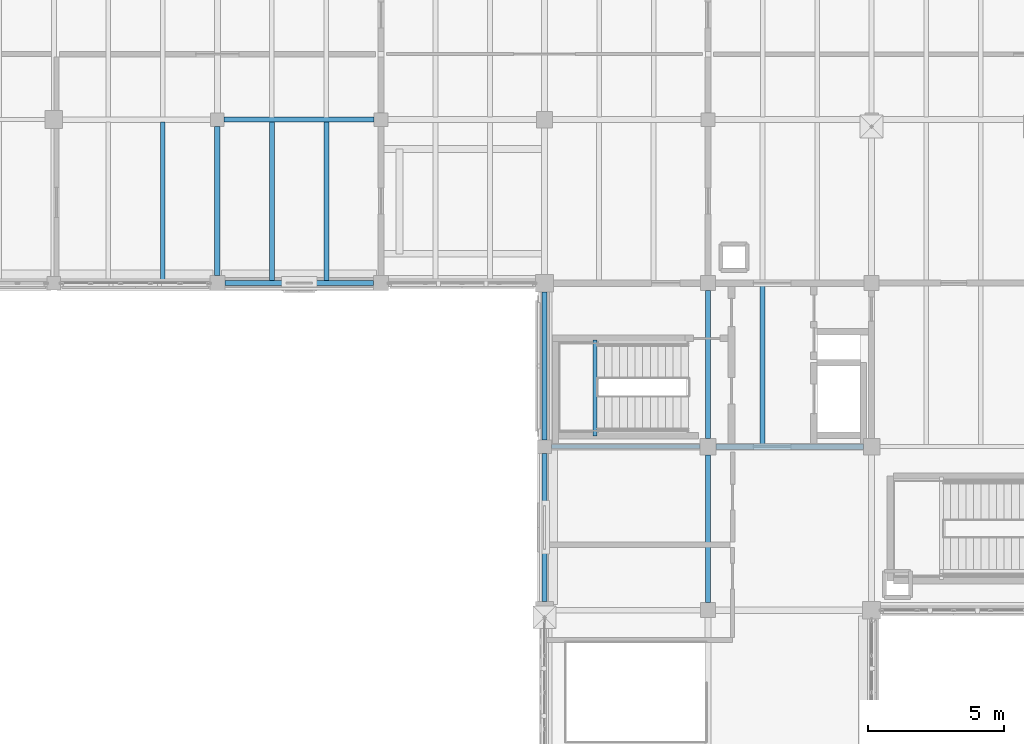
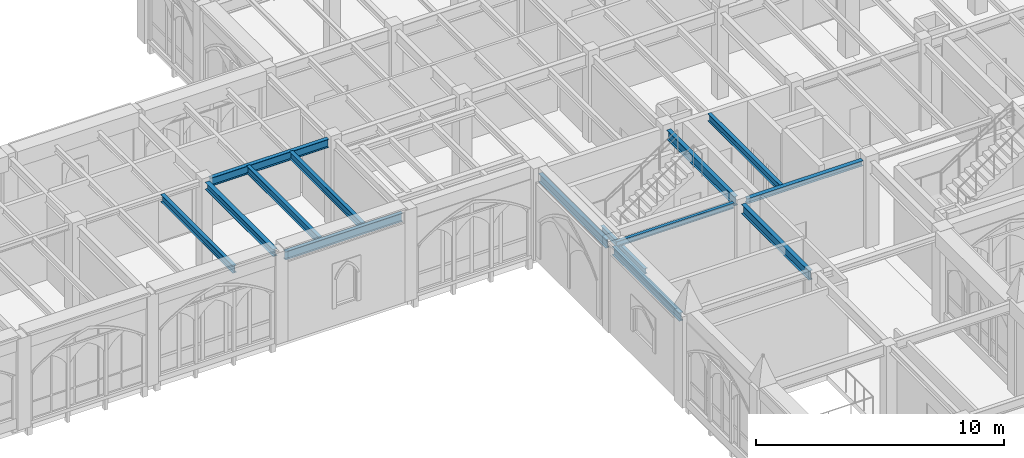
# One storey, part 27 of 143: 14 beams.
"""IFC4 building model written with IfcOpenShell, lengths in metres."""

from ifc_helpers import new_model, si_unit, direction, frame, origin, origin_2d, place, context, subcontext, project, spatial, i_section, extrude, material, material_profile, profile_set, type_object, element, save


model = new_model("IFC4")

# Units and contexts
model_context = context("Model", 3, precision=1e-05, world=origin(), true_north=direction((0.0, 1.0)))
body_context = subcontext(model_context, "Body", "Model", "MODEL_VIEW")
ifc_project = project(units=[si_unit("LENGTHUNIT", "METRE"), si_unit("AREAUNIT", "SQUARE_METRE"), si_unit("VOLUMEUNIT", "CUBIC_METRE"), si_unit("PLANEANGLEUNIT", "RADIAN"), si_unit("MASSUNIT", "GRAM", prefix="KILO")], contexts=[model_context])

# Site, building, storey
site_placement = place(None, origin())
site = spatial("IfcSite", under=ifc_project, at=site_placement, CompositionType="ELEMENT")
building_placement = place(site_placement, origin())
building = spatial("IfcBuilding", under=site, at=building_placement, Name="Cumevento Cable Car Station", CompositionType="ELEMENT")
storey_placement = place(building_placement, frame((0.0, 0.0, 9.0)))
storey = spatial("IfcBuildingStorey", under=building, at=storey_placement, Name="L03", CompositionType="ELEMENT", Elevation=9.0)

# Beams
ifc_material_1 = material(Name="Steel ASTM A572 Grade 50", Category="steel")
ifc_material_profile_1 = material_profile(ifc_material_1, i_section(OverallWidth=0.18994140625, OverallDepth=0.45703125, WebThickness=0.009033203125, FlangeThickness=0.014404296875, at=origin_2d()), Name="W460x74.0")
ifc_profile_set_1 = profile_set([ifc_material_profile_1], Name="Steel ASTM A572 Grade 50")
beam_type_1 = type_object("IfcBeamType", Name="Structural Beam BM-04 W460x74.0", PredefinedType="BEAM", material=ifc_profile_set_1)
for number, where, z_axis, x_axis, name in (
    (1, (64.0, 33.27490234375, 3.987548828125), (0.0, 1.0, 0.0), (-1.0, 0.0, 0.0), "Beam BM-04 L03 #983"),
    (2, (64.0, 39.300048828125, 3.987548828125), (0.0, 1.0, 0.0), (-1.0, 0.0, 0.0), "Beam BM-04 L03 #992"),
):
    element("IfcBeam", number, at=place(storey_placement, frame(where, z_axis=z_axis, x_axis=x_axis)), inside=storey, type_object=beam_type_1, Name=name, PredefinedType="BEAM", context=body_context, shape_type="SweptSolid", body=[
        extrude(i_section(OverallWidth=0.18994140625, OverallDepth=0.45703125, WebThickness=0.009033203125, FlangeThickness=0.014404296875, at=origin_2d()), origin(), (0.0, 0.0, 1.0), 5.425048828125),
    ])
ifc_material_2 = material(Name="Steel ASTM A572 Grade 50", Category="steel")
ifc_material_profile_2 = material_profile(ifc_material_2, i_section(OverallWidth=0.205078125, OverallDepth=0.35400390625, WebThickness=0.009521484375, FlangeThickness=0.016845703125, at=origin_2d()), Name="W360x79.0")
ifc_profile_set_2 = profile_set([ifc_material_profile_2], Name="Steel ASTM A572 Grade 50")
beam_type_2 = type_object("IfcBeamType", Name="Structural Beam BM-05 W360x79.0", PredefinedType="BEAM", material=ifc_profile_set_2)
beam_1_placement = place(storey_placement, frame((46.0, 45.27490234375, 4.123046875), z_axis=(0.0, 1.0, 0.0), x_axis=(-1.0, 0.0, 0.0)))
element("IfcBeam", 3, at=beam_1_placement, inside=storey, type_object=beam_type_2, Name="Beam BM-05 L03 #1044", PredefinedType="BEAM", context=body_context, shape_type="SweptSolid", body=[
    extrude(i_section(OverallWidth=0.205078125, OverallDepth=0.35400390625, WebThickness=0.009521484375, FlangeThickness=0.016845703125, at=origin_2d()), origin(), (0.0, 0.0, 1.0), 5.47509765625),
])
ifc_material_3 = material(Name="Steel ASTM A572 Grade 50", Category="steel")
ifc_material_profile_3 = material_profile(ifc_material_3, i_section(OverallWidth=0.14794921875, OverallDepth=0.26611328125, WebThickness=0.007568359375, FlangeThickness=0.012939453125, at=origin_2d()), Name="W250x44.8")
ifc_profile_set_3 = profile_set([ifc_material_profile_3], Name="Steel ASTM A572 Grade 50")
beam_type_3 = type_object("IfcBeamType", Name="Structural Beam BM-07 W250x44.8", PredefinedType="BEAM", material=ifc_profile_set_3)
beam_2_placement = place(storey_placement, frame((58.25, 39.0, 4.0830078125), z_axis=(1.0, 0.0, 0.0), x_axis=(0.0, 1.0, 0.0)))
element("IfcBeam", 4, at=beam_2_placement, inside=storey, type_object=beam_type_3, Name="Beam BM-07 L03 #972", PredefinedType="BEAM", context=body_context, shape_type="SweptSolid", body=[
    extrude(i_section(OverallWidth=0.14794921875, OverallDepth=0.26611328125, WebThickness=0.007568359375, FlangeThickness=0.012939453125, at=origin_2d()), origin(), (0.0, 0.0, 1.0), 5.449951171875),
])
beam_3_placement = place(storey_placement, frame((59.860107421875, 39.39990234375, 1.91796875), z_axis=(0.0, 1.0, 0.0), x_axis=(-1.0, 0.0, 0.0)))
element("IfcBeam", 5, at=beam_3_placement, inside=storey, type_object=beam_type_3, Name="Core Stair Half-Landing Trimmer ST-01-L03", PredefinedType="BEAM", context=body_context, shape_type="SweptSolid", body=[
    extrude(i_section(OverallWidth=0.14794921875, OverallDepth=0.26611328125, WebThickness=0.007568359375, FlangeThickness=0.012939453125, at=origin_2d()), origin(), (0.0, 0.0, 1.0), 3.52001953125),
])
ifc_material_4 = material(Name="Steel ASTM A572 Grade 50", Category="steel")
ifc_material_profile_4 = material_profile(ifc_material_4, i_section(OverallWidth=0.202880859375, OverallDepth=0.251953125, WebThickness=0.008056640625, FlangeThickness=0.013427734375, at=origin_2d()), Name="W250x58.0")
ifc_profile_set_4 = profile_set([ifc_material_profile_4], Name="Steel ASTM A572 Grade 50")
beam_type_4 = type_object("IfcBeamType", Name="Structural Beam BM-08 W250x58.0", PredefinedType="BEAM", material=ifc_profile_set_4)
beam_4_placement = place(storey_placement, frame((64.300048828125, 39.0, 4.090087890625), z_axis=(1.0, 0.0, 0.0), x_axis=(0.0, 1.0, 0.0)))
element("IfcBeam", 6, at=beam_4_placement, inside=storey, type_object=beam_type_4, Name="Beam BM-08 L03 #973", PredefinedType="BEAM", context=body_context, shape_type="SweptSolid", body=[
    extrude(i_section(OverallWidth=0.202880859375, OverallDepth=0.251953125, WebThickness=0.008056640625, FlangeThickness=0.013427734375, at=origin_2d()), origin(), (0.0, 0.0, 1.0), 5.39990234375),
])
ifc_material_5 = material(Name="Steel ASTM A572 Grade 50", Category="steel")
ifc_material_profile_5 = material_profile(ifc_material_5, i_section(OverallWidth=0.179931640625, OverallDepth=0.4130859375, WebThickness=0.009765625, FlangeThickness=0.01611328125, at=origin_2d()), Name="W410x74.0")
ifc_profile_set_5 = profile_set([ifc_material_profile_5], Name="Steel ASTM A572 Grade 50")
beam_type_5 = type_object("IfcBeamType", Name="Structural Beam BM-09 W410x74.0", PredefinedType="BEAM", material=ifc_profile_set_5)
beam_5_placement = place(storey_placement, frame((46.25, 51.0, 4.069580078125), z_axis=(1.0, 0.0, 0.0), x_axis=(0.0, 1.0, 0.0)))
element("IfcBeam", 7, at=beam_5_placement, inside=storey, type_object=beam_type_5, Name="Beam BM-09 L03 #1030", PredefinedType="BEAM", context=body_context, shape_type="SweptSolid", body=[
    extrude(i_section(OverallWidth=0.179931640625, OverallDepth=0.4130859375, WebThickness=0.009765625, FlangeThickness=0.01611328125, at=origin_2d()), origin(), (0.0, 0.0, 1.0), 5.5),
])
ifc_material_6 = material(Name="Steel ASTM A572 Grade 50", Category="steel")
ifc_material_profile_6 = material_profile(ifc_material_6, i_section(OverallWidth=0.1708984375, OverallDepth=0.35498046875, WebThickness=0.007080078125, FlangeThickness=0.01171875, at=origin_2d()), Name="W360x51.0")
ifc_profile_set_6 = profile_set([ifc_material_profile_6], Name="Steel ASTM A572 Grade 50")
beam_type_6 = type_object("IfcBeamType", Name="Structural Joist JS-01 W360x51.0", PredefinedType="JOIST", material=ifc_profile_set_6)
beam_6_placement = place(storey_placement, frame((66.0, 39.089599609375, 4.03857421875), z_axis=(0.0, 1.0, 0.0), x_axis=(-1.0, 0.0, 0.0)))
element("IfcBeam", 8, at=beam_6_placement, inside=storey, type_object=beam_type_6, Name="Composite Floor Joist JS-01 L03 #1202", PredefinedType="JOIST", context=body_context, shape_type="SweptSolid", body=[
    extrude(i_section(OverallWidth=0.1708984375, OverallDepth=0.35498046875, WebThickness=0.007080078125, FlangeThickness=0.01171875, at=origin_2d()), origin(), (0.0, 0.0, 1.0), 5.83251953125),
])
beam_7_placement = place(storey_placement, frame((44.0, 45.076904296875, 4.12255859375), z_axis=(0.0, 1.0, 0.0), x_axis=(-1.0, 0.0, 0.0)))
element("IfcBeam", 9, at=beam_7_placement, inside=storey, type_object=beam_type_6, Name="Composite Floor Joist JS-01 L03 #1232", PredefinedType="JOIST", context=body_context, shape_type="SweptSolid", body=[
    extrude(i_section(OverallWidth=0.1708984375, OverallDepth=0.35498046875, WebThickness=0.007080078125, FlangeThickness=0.01171875, at=origin_2d()), origin(), (0.0, 0.0, 1.0), 5.83349609375),
])
for number, where, z_axis, x_axis, name in (
    (10, (48.0, 45.076904296875, 4.12255859375), (0.0, 1.0, 0.0), (-1.0, 0.0, 0.0), "Composite Floor Joist JS-01 L03 #1234"),
    (11, (50.0, 45.076904296875, 4.12255859375), (0.0, 1.0, 0.0), (-1.0, 0.0, 0.0), "Composite Floor Joist JS-01 L03 #1236"),
):
    element("IfcBeam", number, at=place(storey_placement, frame(where, z_axis=z_axis, x_axis=x_axis)), inside=storey, type_object=beam_type_6, Name=name, PredefinedType="JOIST", context=body_context, shape_type="SweptSolid", body=[
        extrude(i_section(OverallWidth=0.1708984375, OverallDepth=0.35498046875, WebThickness=0.007080078125, FlangeThickness=0.01171875, at=origin_2d()), origin(), (0.0, 0.0, 1.0), 5.84521484375),
    ])
ifc_material_7 = material(Name="Steel ASTM A572 Grade 50", Category="steel")
ifc_material_profile_7 = material_profile(ifc_material_7, i_section(OverallWidth=0.177978515625, OverallDepth=0.406982421875, WebThickness=0.0078125, FlangeThickness=0.0126953125, at=origin_2d()), Name="W410x60.0")
ifc_profile_set_7 = profile_set([ifc_material_profile_7], Name="Steel ASTM A572 Grade 50")
beam_type_7 = type_object("IfcBeamType", Name="Structural Spandrel SP-01 W410x60.0", PredefinedType="SPANDREL", material=ifc_profile_set_7)
for number, where, z_axis, x_axis, name in (
    (12, (58.0, 33.324951171875, 4.012451171875), (0.0, 1.0, 0.0), (-1.0, 0.0, 0.0), "Beam SP-01 L03 #978"),
    (13, (58.0, 39.25, 4.012451171875), (0.0, 1.0, 0.0), (-1.0, 0.0, 0.0), "Beam SP-01 L03 #991"),
):
    element("IfcBeam", number, at=place(storey_placement, frame(where, z_axis=z_axis, x_axis=x_axis)), inside=storey, type_object=beam_type_7, Name=name, PredefinedType="SPANDREL", context=body_context, shape_type="SweptSolid", body=[
        extrude(i_section(OverallWidth=0.177978515625, OverallDepth=0.406982421875, WebThickness=0.0078125, FlangeThickness=0.0126953125, at=origin_2d()), origin(), (0.0, 0.0, 1.0), 5.425048828125),
    ])
beam_8_placement = place(storey_placement, frame((46.27490234375, 45.0, 4.072509765625), z_axis=(1.0, 0.0, 0.0), x_axis=(0.0, 1.0, 0.0)))
element("IfcBeam", 14, at=beam_8_placement, inside=storey, type_object=beam_type_7, Name="Beam SP-01 L03 #1025", PredefinedType="SPANDREL", context=body_context, shape_type="SweptSolid", body=[
    extrude(i_section(OverallWidth=0.177978515625, OverallDepth=0.406982421875, WebThickness=0.0078125, FlangeThickness=0.0126953125, at=origin_2d()), origin(), (0.0, 0.0, 1.0), 5.4501953125),
])

save(model, "model.ifc")
